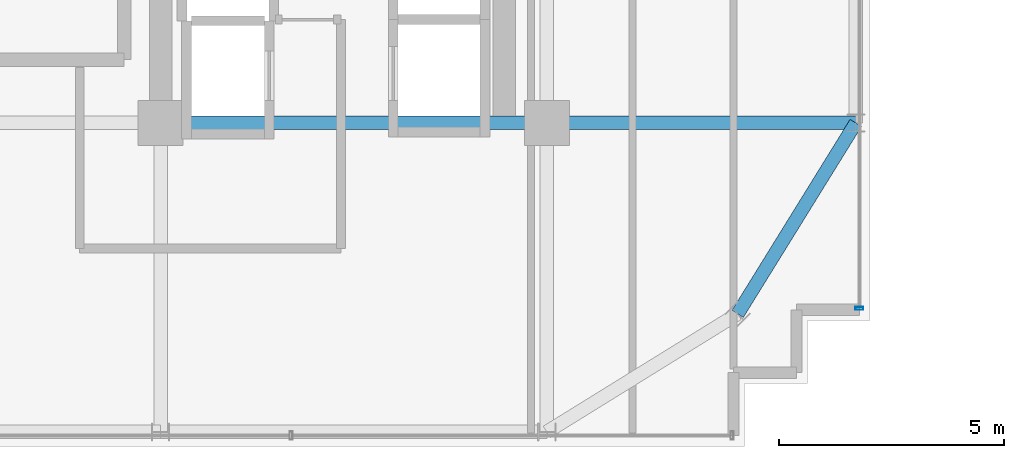
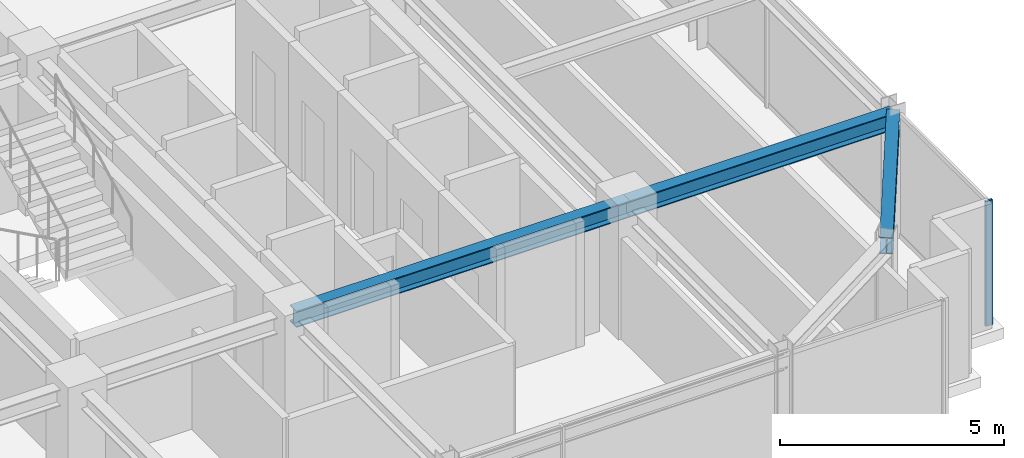
# One storey, part 13 of 36: 3 beams, 1 member, 1 element without a shape of its own.
"""IFC4 building model written with IfcOpenShell, lengths in metres."""

from ifc_helpers import new_model, si_unit, direction, frame, origin, origin_2d, place, context, subcontext, project, spatial, hollow_rectangle, i_section, extrude, source, transform, mapped, material, material_profile, profile_set, type_object, element, aggregate, save


model = new_model("IFC4")

# Units and contexts
model_context = context("Model", 3, precision=1e-05, world=origin(), true_north=direction((0.0, 1.0)))
body_context = subcontext(model_context, "Body", "Model", "MODEL_VIEW")
ifc_project = project(units=[si_unit("LENGTHUNIT", "METRE"), si_unit("AREAUNIT", "SQUARE_METRE"), si_unit("VOLUMEUNIT", "CUBIC_METRE"), si_unit("PLANEANGLEUNIT", "RADIAN"), si_unit("MASSUNIT", "GRAM", prefix="KILO")], contexts=[model_context])

# Site, building, storey
site_placement = place(None, origin())
site = spatial("IfcSite", under=ifc_project, at=site_placement, CompositionType="ELEMENT")
building_placement = place(site_placement, origin())
building = spatial("IfcBuilding", under=site, at=building_placement, Name="Nahalor Promenade Grand Hotel", CompositionType="ELEMENT")
storey_placement = place(building_placement, frame((0.0, 0.0, 223.39990234375)))
storey = spatial("IfcBuildingStorey", under=building, at=storey_placement, Name="L57", CompositionType="ELEMENT", Elevation=223.39990234375)

# Beams
ifc_material_1 = material(Name="Steel S355JR", Category="steel")
ifc_material_profile_1 = material_profile(ifc_material_1, i_section(OverallWidth=0.3, OverallDepth=0.45, WebThickness=0.014, FlangeThickness=0.026, at=origin_2d()), Name="HEB 450")
ifc_profile_set_1 = profile_set([ifc_material_profile_1], Name="Steel S355JR")
beam_type_1 = type_object("IfcBeamType", Name="Beam-Spandrel-HEB450", PredefinedType="SPANDREL", material=ifc_profile_set_1)
shared_shape_1 = source(origin(), body_context, "Body", "SweptSolid", [
    extrude(i_section(OverallWidth=0.3, OverallDepth=0.45, WebThickness=0.014, FlangeThickness=0.026, at=origin_2d()), origin(), (0.0, 0.0, 1.0), 4.997802734375),
])
beam_1_placement = place(storey_placement, frame((21.25, -21.25, 3.18505859375), z_axis=(0.526199891161, 0.850360908404, 0.0), x_axis=(-0.850360908404, 0.526199891161, 0.0)))
element("IfcBeam", 1, at=beam_1_placement, inside=storey, type_object=beam_type_1, Name="BM-L57-SPC-SE-2", PredefinedType="SPANDREL", context=body_context, shape_type="MappedRepresentation", body=[
    mapped(shared_shape_1, transform((0.0, 0.0, 0.0), scale=1.0)),
])
ifc_material_profile_2 = material_profile(ifc_material_1, i_section(OverallWidth=0.3, OverallDepth=0.45, WebThickness=0.014, FlangeThickness=0.026, at=origin_2d()), Name="HEB 450")
ifc_profile_set_2 = profile_set([ifc_material_profile_2], Name="Steel S355JR")
beam_type_2 = type_object("IfcBeamType", Name="Beam-Girder-HEB450", PredefinedType="BEAM", material=ifc_profile_set_2)
shared_shape_2 = source(origin(), body_context, "Body", "SweptSolid", [
    extrude(i_section(OverallWidth=0.3, OverallDepth=0.45, WebThickness=0.014, FlangeThickness=0.026, at=origin_2d()), origin(), (0.0, 0.0, 1.0), 6.8798828125),
])
beam_2_placement = place(storey_placement, frame((17.0, -17.0, 3.18505859375), z_axis=(1.0, 0.0, 0.0), x_axis=(0.0, 1.0, 0.0)))
element("IfcBeam", 2, at=beam_2_placement, inside=storey, type_object=beam_type_2, Name="BM-L57-GX-0-6", PredefinedType="BEAM", context=body_context, shape_type="MappedRepresentation", body=[
    mapped(shared_shape_2, transform((0.0, 0.0, 0.0), scale=1.0)),
])
shared_shape_3 = source(origin(), body_context, "Body", "SweptSolid", [
    extrude(i_section(OverallWidth=0.3, OverallDepth=0.45, WebThickness=0.014, FlangeThickness=0.026, at=origin_2d()), origin(), (0.0, 0.0, 1.0), 8.60009765625),
])
beam_3_placement = place(storey_placement, frame((8.39990234375, -17.0, 3.18505859375), z_axis=(1.0, 0.0, 0.0), x_axis=(0.0, 1.0, 0.0)))
element("IfcBeam", 3, at=beam_3_placement, inside=storey, type_object=beam_type_2, Name="BM-L57-GX-0-5", PredefinedType="BEAM", context=body_context, shape_type="MappedRepresentation", body=[
    mapped(shared_shape_3, transform((0.0, 0.0, 0.0), scale=1.0)),
])

# Curtain wall, member
ifc_material_2 = material(Name="Anodised Bronze Aluminium EN AW-6063 T6", Category="aluminium")
curtain_wall_type = type_object("IfcCurtainWallType", Name="CW2 Typical Hotel Flush Bronze Unitised Curtain Wall", PredefinedType="USERDEFINED", material=ifc_material_2)
curtain_wall_placement = place(storey_placement, origin())
curtain_wall = element("IfcCurtainWall", 4, at=curtain_wall_placement, inside=storey, type_object=curtain_wall_type, Name="L57 Curtain Wall CW-L57-E-1", ObjectType="UNITISED_CURTAIN_WALL", PredefinedType="USERDEFINED")
ifc_material_profile_3 = material_profile(ifc_material_2, hollow_rectangle(XDim=0.065, YDim=0.18, WallThickness=0.004, at=origin_2d()), Name="CWM 65x180x4")
ifc_profile_set_3 = profile_set([ifc_material_profile_3], Name="Anodised Bronze Aluminium EN AW-6063 T6")
member_type = type_object("IfcMemberType", Name="CWM2 Typical Bronze Mullion 65x180", PredefinedType="MULLION", material=ifc_profile_set_3)
shared_shape_4 = source(origin(), body_context, "Body", "SweptSolid", [
    extrude(hollow_rectangle(XDim=0.065, YDim=0.18, WallThickness=0.004, at=origin_2d()), origin(), (0.0, 0.0, 1.0), 3.41015625),
])
member_placement = place(storey_placement, frame((23.9599609375, -21.12744140625, 0.0), z_axis=(0.0, 0.0, 1.0), x_axis=(0.0, 1.0, 0.0)))
member = element("IfcMember", 5, at=member_placement, type_object=member_type, Name="CW-L57-E-1 Mullion 0", PredefinedType="MULLION", context=body_context, shape_type="MappedRepresentation", body=[
    mapped(shared_shape_4, transform((0.0, 0.0, 0.0), scale=1.0)),
])
aggregate(curtain_wall, [member])

save(model, "model.ifc")
